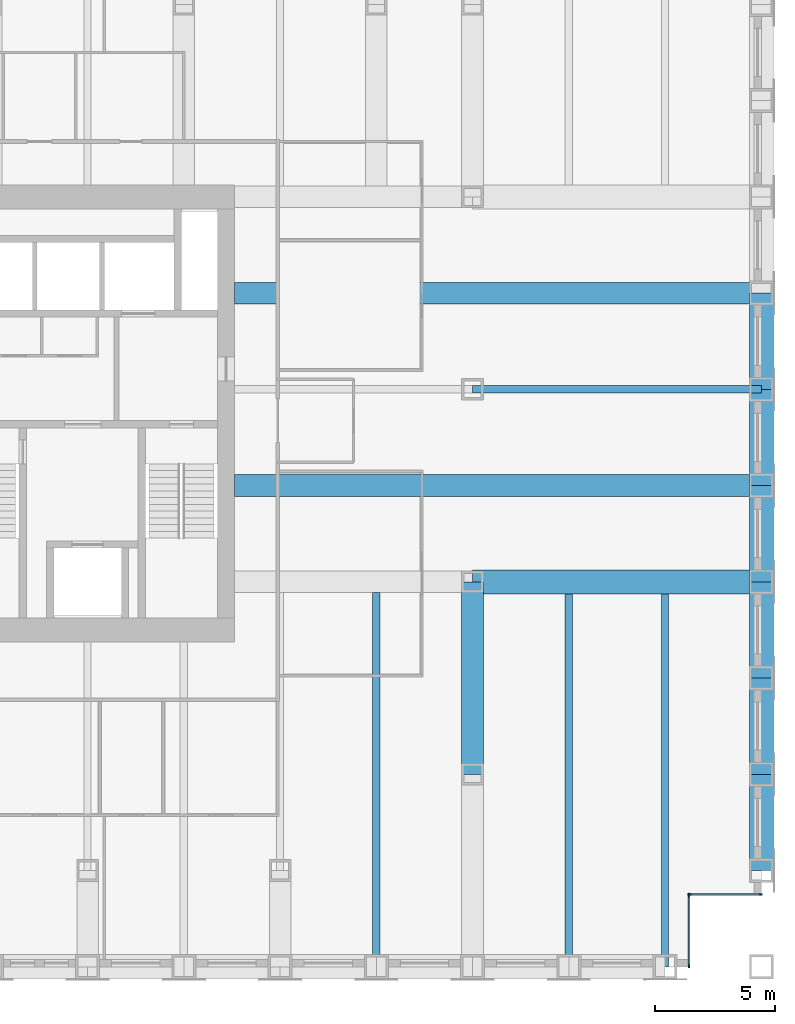
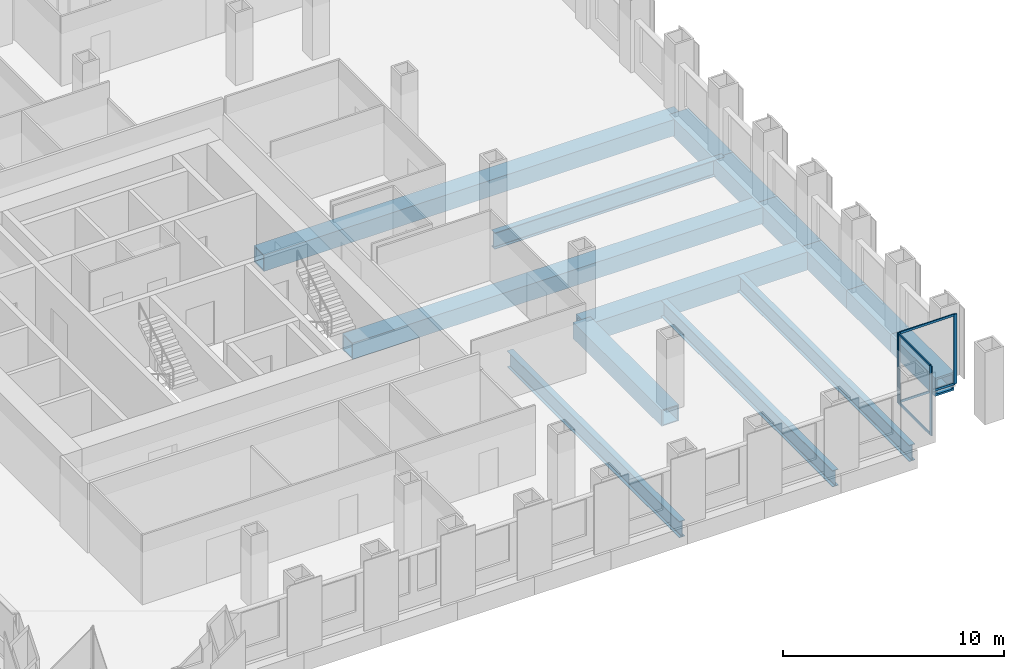
# One storey, part 4 of 15: 14 beams, 8 members, 2 elements without a shape of their own.
"""IFC4 building model written with IfcOpenShell, lengths in metres."""

from ifc_helpers import new_model, si_unit, direction, frame, origin, origin_2d, place, context, subcontext, project, spatial, rectangle, hollow_rectangle, i_section, extrude, material, material_profile, profile_set, type_object, element, aggregate, save


model = new_model("IFC4")

# Units and contexts
model_context = context("Model", 3, precision=1e-05, world=origin(), true_north=direction((0.0, 1.0)))
body_context = subcontext(model_context, "Body", "Model", "MODEL_VIEW")
ifc_project = project(units=[si_unit("LENGTHUNIT", "METRE"), si_unit("AREAUNIT", "SQUARE_METRE"), si_unit("VOLUMEUNIT", "CUBIC_METRE"), si_unit("PLANEANGLEUNIT", "RADIAN"), si_unit("MASSUNIT", "GRAM", prefix="KILO")], contexts=[model_context])

# Site, building, storey
site_placement = place(None, origin())
site = spatial("IfcSite", under=ifc_project, at=site_placement, CompositionType="ELEMENT")
building_placement = place(site_placement, origin())
building = spatial("IfcBuilding", under=site, at=building_placement, Name="Rimbunsela Tower", CompositionType="ELEMENT")
storey_placement = place(building_placement, frame((0.0, 0.0, 113.39990234375)))
storey = spatial("IfcBuildingStorey", under=building, at=storey_placement, Name="L27", CompositionType="ELEMENT", Elevation=113.39990234375)

# Beams
ifc_material_1 = material(Name="Steel BJ 55 (fy 410 MPa)", Category="steel")
ifc_material_profile_1 = material_profile(ifc_material_1, hollow_rectangle(XDim=1.0, YDim=1.0, WallThickness=0.10009765625, at=origin_2d()), Name="BOX 1000x1000x100")
ifc_profile_set_1 = profile_set([ifc_material_profile_1], Name="Steel BJ 55 (fy 410 MPa)")
beam_type_1 = type_object("IfcBeamType", Name="Beam BOX 1000x1000x100", PredefinedType="BEAM", material=ifc_profile_set_1)
beam_1_placement = place(storey_placement, frame((46.0, 20.0, -0.64990234375), z_axis=(1.0, 0.0, 0.0), x_axis=(0.0, 1.0, 0.0)))
element("IfcBeam", 1, at=beam_1_placement, inside=storey, type_object=beam_type_1, Name="Beam B3 L27", PredefinedType="BEAM", context=body_context, shape_type="SweptSolid", body=[
    extrude(hollow_rectangle(XDim=1.0, YDim=1.0, WallThickness=0.10009765625, at=origin_2d()), origin(), (0.0, 0.0, 1.0), 12.0),
])
for number, where, z_axis, x_axis, name in (
    (2, (58.0, 8.0, -0.64990234375), (0.0, 1.0, 0.0), (-1.0, 0.0, 0.0), "Beam B3 L27"),
    (3, (58.0, 12.0, -0.64990234375), (0.0, 1.0, 0.0), (-1.0, 0.0, 0.0), "Beam B3 L27"),
    (4, (58.0, 16.0, -0.64990234375), (0.0, 1.0, 0.0), (-1.0, 0.0, 0.0), "Beam B3 L27"),
    (5, (58.0, 20.0, -0.64990234375), (0.0, 1.0, 0.0), (-1.0, 0.0, 0.0), "Beam B3 L27"),
    (6, (58.0, 24.0, -0.64990234375), (0.0, 1.0, 0.0), (-1.0, 0.0, 0.0), "Beam B3 L27"),
    (7, (58.0, 28.0, -0.64990234375), (0.0, 1.0, 0.0), (-1.0, 0.0, 0.0), "Beam B3 L27"),
):
    element("IfcBeam", number, at=place(storey_placement, frame(where, z_axis=z_axis, x_axis=x_axis)), inside=storey, type_object=beam_type_1, Name=name, PredefinedType="BEAM", context=body_context, shape_type="SweptSolid", body=[
        extrude(hollow_rectangle(XDim=1.0, YDim=1.0, WallThickness=0.10009765625, at=origin_2d()), origin(), (0.0, 0.0, 1.0), 4.0),
    ])
ifc_material_2 = material(Name="Steel BJ 55 (fy 410 MPa)", Category="steel")
ifc_material_profile_2 = material_profile(ifc_material_2, hollow_rectangle(XDim=0.89990234375, YDim=0.89990234375, WallThickness=0.06005859375, at=origin_2d()), Name="BOX 900x900x60")
ifc_profile_set_2 = profile_set([ifc_material_profile_2], Name="Steel BJ 55 (fy 410 MPa)")
beam_type_2 = type_object("IfcBeamType", Name="Beam BOX 900x900x60", PredefinedType="BEAM", material=ifc_profile_set_2)
for number, where, z_axis, x_axis, name in (
    (8, (36.10009765625, 24.0, -0.599853515625), (1.0, 0.0, 0.0), (0.0, 1.0, 0.0), "Beam B1 L27"),
    (9, (36.10009765625, 32.0, -0.599853515625), (1.0, 0.0, 0.0), (0.0, 1.0, 0.0), "Beam B1 L27"),
):
    element("IfcBeam", number, at=place(storey_placement, frame(where, z_axis=z_axis, x_axis=x_axis)), inside=storey, type_object=beam_type_2, Name=name, PredefinedType="BEAM", context=body_context, shape_type="SweptSolid", body=[
        extrude(hollow_rectangle(XDim=0.89990234375, YDim=0.89990234375, WallThickness=0.06005859375, at=origin_2d()), origin(), (0.0, 0.0, 1.0), 21.89990234375),
    ])
beam_2_placement = place(storey_placement, frame((46.0, 12.0, -0.599853515625), z_axis=(0.0, 1.0, 0.0), x_axis=(-1.0, 0.0, 0.0)))
element("IfcBeam", 10, at=beam_2_placement, inside=storey, type_object=beam_type_2, Name="Beam B1 L27", PredefinedType="BEAM", context=body_context, shape_type="SweptSolid", body=[
    extrude(hollow_rectangle(XDim=0.89990234375, YDim=0.89990234375, WallThickness=0.06005859375, at=origin_2d()), origin(), (0.0, 0.0, 1.0), 8.0),
])
ifc_material_3 = material(Name="Steel BJ 55 (fy 410 MPa)", Category="steel")
ifc_material_profile_3 = material_profile(ifc_material_3, i_section(OverallWidth=0.300048828125, OverallDepth=0.89990234375, WebThickness=0.01611328125, FlangeThickness=0.028076171875, FilletRadius=0.028076171875, at=origin_2d()), Name="H 900x300x16x28")
ifc_profile_set_3 = profile_set([ifc_material_profile_3], Name="Steel BJ 55 (fy 410 MPa)")
beam_type_3 = type_object("IfcBeamType", Name="Beam H 900x300x16x28", PredefinedType="BEAM", material=ifc_profile_set_3)
beam_3_placement = place(storey_placement, frame((42.0, 4.0, -0.599853515625), z_axis=(0.0, 1.0, 0.0), x_axis=(-1.0, 0.0, 0.0)))
element("IfcBeam", 11, at=beam_3_placement, inside=storey, type_object=beam_type_3, Name="Beam B2 L27", PredefinedType="BEAM", context=body_context, shape_type="SweptSolid", body=[
    extrude(i_section(OverallWidth=0.300048828125, OverallDepth=0.89990234375, WebThickness=0.01611328125, FlangeThickness=0.028076171875, FilletRadius=0.028076171875, at=origin_2d()), origin(), (0.0, 0.0, 1.0), 15.550048828125),
])
beam_4_placement = place(storey_placement, frame((46.0, 28.0, -0.599853515625), z_axis=(1.0, 0.0, 0.0), x_axis=(0.0, 1.0, 0.0)))
element("IfcBeam", 12, at=beam_4_placement, inside=storey, type_object=beam_type_3, Name="Beam B2 L27", PredefinedType="BEAM", context=body_context, shape_type="SweptSolid", body=[
    extrude(i_section(OverallWidth=0.300048828125, OverallDepth=0.89990234375, WebThickness=0.01611328125, FlangeThickness=0.028076171875, FilletRadius=0.028076171875, at=origin_2d()), origin(), (0.0, 0.0, 1.0), 12.0),
])
for number, where, z_axis, x_axis, name in (
    (13, (50.0, 4.0, -0.599853515625), (0.0, 1.0, 0.0), (-1.0, 0.0, 0.0), "Beam B2 L27"),
    (14, (54.0, 4.0, -0.599853515625), (0.0, 1.0, 0.0), (-1.0, 0.0, 0.0), "Beam B2 L27"),
):
    element("IfcBeam", number, at=place(storey_placement, frame(where, z_axis=z_axis, x_axis=x_axis)), inside=storey, type_object=beam_type_3, Name=name, PredefinedType="BEAM", context=body_context, shape_type="SweptSolid", body=[
        extrude(i_section(OverallWidth=0.300048828125, OverallDepth=0.89990234375, WebThickness=0.01611328125, FlangeThickness=0.028076171875, FilletRadius=0.028076171875, at=origin_2d()), origin(), (0.0, 0.0, 1.0), 15.5),
    ])

# Curtain wall, members
ifc_material_4 = material(Name="Aluminium curtain wall", Category="aluminium")
curtain_wall_type = type_object("IfcCurtainWallType", Name="Corner glazing", PredefinedType="USERDEFINED", material=ifc_material_4)
curtain_wall_1_placement = place(storey_placement, origin())
curtain_wall_1 = element("IfcCurtainWall", 15, at=curtain_wall_1_placement, inside=storey, type_object=curtain_wall_type, Name="Corner glazing L27", ObjectType="CORNER GLAZING", PredefinedType="USERDEFINED")
ifc_material_5 = material(Name="Aluminium mullion", Category="aluminium")
ifc_material_profile_4 = material_profile(ifc_material_5, rectangle(XDim=0.06005859375, YDim=0.159912109375, at=origin_2d()), Name="Mullion 60x160")
ifc_profile_set_4 = profile_set([ifc_material_profile_4], Name="Aluminium mullion")
member_type_1 = type_object("IfcMemberType", Name="Curtain wall mullion 60x160", PredefinedType="MULLION", material=ifc_profile_set_4)
member_1_placement = place(storey_placement, frame((55.0, 4.030029296875, 0.0), z_axis=(0.0, 0.0, 1.0), x_axis=(-1.0, 0.0, 0.0)))
member_1 = element("IfcMember", 16, at=member_1_placement, type_object=member_type_1, Name="CW5 mullion 1", PredefinedType="MULLION", context=body_context, shape_type="SweptSolid", body=[
    extrude(rectangle(XDim=0.06005859375, YDim=0.159912109375, at=origin_2d()), origin(), (0.0, 0.0, 1.0), 3.85009765625),
])
member_2_placement = place(storey_placement, frame((55.0, 6.969970703125, 0.0), z_axis=(0.0, 0.0, 1.0), x_axis=(-1.0, 0.0, 0.0)))
member_2 = element("IfcMember", 17, at=member_2_placement, type_object=member_type_1, Name="CW5 mullion 2", PredefinedType="MULLION", context=body_context, shape_type="SweptSolid", body=[
    extrude(rectangle(XDim=0.06005859375, YDim=0.159912109375, at=origin_2d()), origin(), (0.0, 0.0, 1.0), 3.85009765625),
])

curtain_wall_2_placement = place(storey_placement, origin())
curtain_wall_2 = element("IfcCurtainWall", 18, at=curtain_wall_2_placement, inside=storey, type_object=curtain_wall_type, Name="Corner glazing L27", ObjectType="CORNER GLAZING", PredefinedType="USERDEFINED")
member_3_placement = place(storey_placement, frame((55.030029296875, 7.0, 0.0), z_axis=(0.0, 0.0, 1.0), x_axis=(0.0, 1.0, 0.0)))
member_3 = element("IfcMember", 19, at=member_3_placement, type_object=member_type_1, Name="CW5 mullion 1", PredefinedType="MULLION", context=body_context, shape_type="SweptSolid", body=[
    extrude(rectangle(XDim=0.06005859375, YDim=0.159912109375, at=origin_2d()), origin(), (0.0, 0.0, 1.0), 3.85009765625),
])
member_4_placement = place(storey_placement, frame((57.969970703125, 7.0, 0.0), z_axis=(0.0, 0.0, 1.0), x_axis=(0.0, 1.0, 0.0)))
member_4 = element("IfcMember", 20, at=member_4_placement, type_object=member_type_1, Name="CW5 mullion 2", PredefinedType="MULLION", context=body_context, shape_type="SweptSolid", body=[
    extrude(rectangle(XDim=0.06005859375, YDim=0.159912109375, at=origin_2d()), origin(), (0.0, 0.0, 1.0), 3.85009765625),
])

# Member
ifc_material_6 = material(Name="Aluminium transom", Category="aluminium")
ifc_material_profile_5 = material_profile(ifc_material_6, rectangle(XDim=0.06005859375, YDim=0.1201171875, at=origin_2d()), Name="Transom 60x120")
ifc_profile_set_5 = profile_set([ifc_material_profile_5], Name="Aluminium transom")
member_type_2 = type_object("IfcMemberType", Name="Curtain wall transom 60x120", PredefinedType="USERDEFINED", material=ifc_profile_set_5)
member_5_placement = place(storey_placement, frame((55.0, 4.06005859375, 0.030029296875), z_axis=(0.0, 1.0, 0.0), x_axis=(-1.0, 0.0, 0.0)))
member_5 = element("IfcMember", 21, at=member_5_placement, type_object=member_type_2, Name="CW5 transom 1.1", ObjectType="TRANSOM", PredefinedType="USERDEFINED", context=body_context, shape_type="SweptSolid", body=[
    extrude(rectangle(XDim=0.06005859375, YDim=0.1201171875, at=origin_2d()), origin(), (0.0, 0.0, 1.0), 2.8798828125),
])

member_6_placement = place(storey_placement, frame((55.0, 4.06005859375, 3.820068359375), z_axis=(0.0, 1.0, 0.0), x_axis=(-1.0, 0.0, 0.0)))
member_6 = element("IfcMember", 22, at=member_6_placement, type_object=member_type_2, Name="CW5 transom 1.2", ObjectType="TRANSOM", PredefinedType="USERDEFINED", context=body_context, shape_type="SweptSolid", body=[
    extrude(rectangle(XDim=0.06005859375, YDim=0.1201171875, at=origin_2d()), origin(), (0.0, 0.0, 1.0), 2.8798828125),
])

aggregate(curtain_wall_1, [member_1, member_2, member_5, member_6])

member_7_placement = place(storey_placement, frame((55.06005859375, 7.0, 0.030029296875), z_axis=(1.0, 0.0, 0.0), x_axis=(0.0, 1.0, 0.0)))
member_7 = element("IfcMember", 23, at=member_7_placement, type_object=member_type_2, Name="CW5 transom 1.1", ObjectType="TRANSOM", PredefinedType="USERDEFINED", context=body_context, shape_type="SweptSolid", body=[
    extrude(rectangle(XDim=0.06005859375, YDim=0.1201171875, at=origin_2d()), origin(), (0.0, 0.0, 1.0), 2.8798828125),
])

member_8_placement = place(storey_placement, frame((55.06005859375, 7.0, 3.820068359375), z_axis=(1.0, 0.0, 0.0), x_axis=(0.0, 1.0, 0.0)))
member_8 = element("IfcMember", 24, at=member_8_placement, type_object=member_type_2, Name="CW5 transom 1.2", ObjectType="TRANSOM", PredefinedType="USERDEFINED", context=body_context, shape_type="SweptSolid", body=[
    extrude(rectangle(XDim=0.06005859375, YDim=0.1201171875, at=origin_2d()), origin(), (0.0, 0.0, 1.0), 2.8798828125),
])

aggregate(curtain_wall_2, [member_3, member_4, member_7, member_8])

save(model, "model.ifc")
